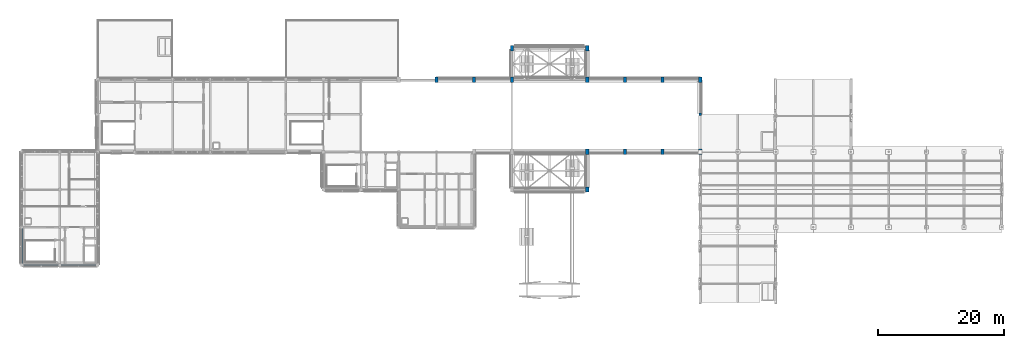
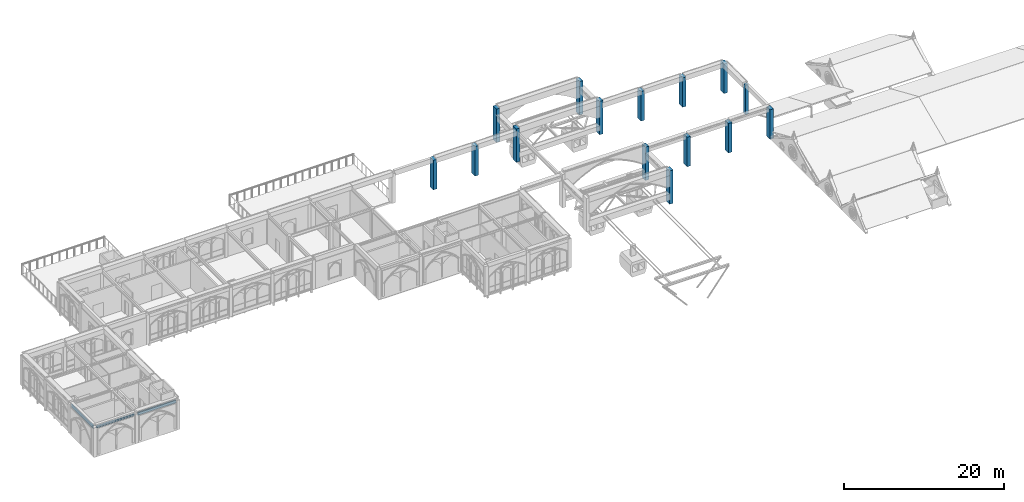
# One storey, part 5 of 59: 15 columns, 3 beams.
"""IFC4 building model written with IfcOpenShell, lengths in metres."""

from ifc_helpers import new_model, si_unit, direction, frame, origin, origin_2d, place, context, subcontext, project, spatial, rectangle, i_section, extrude, material, material_profile, profile_set, type_object, element, save


model = new_model("IFC4")

# Units and contexts
model_context = context("Model", 3, precision=1e-05, world=origin(), true_north=direction((0.0, 1.0)))
body_context = subcontext(model_context, "Body", "Model", "MODEL_VIEW")
ifc_project = project(units=[si_unit("LENGTHUNIT", "METRE"), si_unit("AREAUNIT", "SQUARE_METRE"), si_unit("VOLUMEUNIT", "CUBIC_METRE"), si_unit("PLANEANGLEUNIT", "RADIAN"), si_unit("MASSUNIT", "GRAM", prefix="KILO")], contexts=[model_context])

# Site, building, storey
site_placement = place(None, origin())
site = spatial("IfcSite", under=ifc_project, at=site_placement, CompositionType="ELEMENT")
building_placement = place(site_placement, origin())
building = spatial("IfcBuilding", under=site, at=building_placement, Name="Cumevento Cable Car Station", CompositionType="ELEMENT")
storey_placement = place(building_placement, frame((0.0, 0.0, 18.0)))
storey = spatial("IfcBuildingStorey", under=building, at=storey_placement, Name="L05", CompositionType="ELEMENT", Elevation=18.0)

# Columns
ifc_material_1 = material(Name="Concrete C40/50", Category="concrete")
ifc_material_profile_1 = material_profile(ifc_material_1, rectangle(XDim=0.5, YDim=0.85009765625, at=origin_2d()), Name="RC500x850")
ifc_profile_set_1 = profile_set([ifc_material_profile_1], Name="Concrete C40/50")
column_type_1 = type_object("IfcColumnType", Name="Buttress Pilaster P-BT850 RC500x850", PredefinedType="PILASTER", material=ifc_profile_set_1)
for number, where, z_axis, x_axis, name in (
    (1, (76.0, 56.5, 0.0), (0.0, 0.0, 1.0), (1.0, 0.0, 0.0), "Column P-BT850 L05 (76.0,56.5)"),
    (2, (82.0, 56.5, 0.0), (0.0, 0.0, 1.0), (1.0, 0.0, 0.0), "Column P-BT850 L05 (82.0,56.5)"),
):
    element("IfcColumn", number, at=place(storey_placement, frame(where, z_axis=z_axis, x_axis=x_axis)), inside=storey, type_object=column_type_1, Name=name, PredefinedType="PILASTER", context=body_context, shape_type="SweptSolid", body=[
        extrude(rectangle(XDim=0.5, YDim=0.85009765625, at=origin_2d()), origin(), (0.0, 0.0, 1.0), 4.5),
    ])
for number, where, z_axis, x_axis, name in (
    (3, (88.0, 56.5, 0.0), (0.0, 0.0, 1.0), (1.0, 0.0, 0.0), "Column P-BT850 L05 (88.0,56.5)"),
    (4, (100.0, 45.0, 0.0), (0.0, 0.0, 1.0), (1.0, 0.0, 0.0), "Column P-BT850 L05 (100.0,45.0)"),
    (5, (100.0, 56.5, 0.0), (0.0, 0.0, 1.0), (1.0, 0.0, 0.0), "Column P-BT850 L05 (100.0,56.5)"),
):
    element("IfcColumn", number, at=place(storey_placement, frame(where, z_axis=z_axis, x_axis=x_axis)), inside=storey, type_object=column_type_1, Name=name, PredefinedType="PILASTER", context=body_context, shape_type="SweptSolid", body=[
        extrude(rectangle(XDim=0.5, YDim=0.85009765625, at=origin_2d()), origin(), (0.0, 0.0, 1.0), 5.10009765625),
    ])
for number, where, z_axis, x_axis, name in (
    (6, (106.0, 45.0, 0.0), (0.0, 0.0, 1.0), (1.0, 0.0, 0.0), "Column P-BT850 L05 (106.0,45.0)"),
    (7, (106.0, 56.5, 0.0), (0.0, 0.0, 1.0), (1.0, 0.0, 0.0), "Column P-BT850 L05 (106.0,56.5)"),
    (8, (112.0, 45.0, 0.0), (0.0, 0.0, 1.0), (1.0, 0.0, 0.0), "Column P-BT850 L05 (112.0,45.0)"),
    (9, (112.0, 56.5, 0.0), (0.0, 0.0, 1.0), (1.0, 0.0, 0.0), "Column P-BT850 L05 (112.0,56.5)"),
    (10, (118.0, 45.0, 0.0), (0.0, 0.0, 1.0), (1.0, 0.0, 0.0), "Column P-BT850 L05 (118.0,45.0)"),
    (11, (118.0, 56.5, 0.0), (0.0, 0.0, 1.0), (1.0, 0.0, 0.0), "Column P-BT850 L05 (118.0,56.5)"),
):
    element("IfcColumn", number, at=place(storey_placement, frame(where, z_axis=z_axis, x_axis=x_axis)), inside=storey, type_object=column_type_1, Name=name, PredefinedType="PILASTER", context=body_context, shape_type="SweptSolid", body=[
        extrude(rectangle(XDim=0.5, YDim=0.85009765625, at=origin_2d()), origin(), (0.0, 0.0, 1.0), 4.5),
    ])
for number, where, z_axis, x_axis, name in (
    (12, (88.0, 61.5, 0.0), (0.0, 0.0, 1.0), (1.0, 0.0, 0.0), "Portal/Terrace Column P-BT850 L05 (88.0,61.5)"),
    (13, (100.0, 61.5, 0.0), (0.0, 0.0, 1.0), (1.0, 0.0, 0.0), "Portal/Terrace Column P-BT850 L05 (100.0,61.5)"),
    (14, (100.0, 39.0, 0.0), (0.0, 0.0, 1.0), (1.0, 0.0, 0.0), "Portal/Terrace Column P-BT850 L05 (100.0,39.0)"),
):
    element("IfcColumn", number, at=place(storey_placement, frame(where, z_axis=z_axis, x_axis=x_axis)), inside=storey, type_object=column_type_1, Name=name, PredefinedType="PILASTER", context=body_context, shape_type="SweptSolid", body=[
        extrude(rectangle(XDim=0.5, YDim=0.85009765625, at=origin_2d()), origin(), (0.0, 0.0, 1.0), 5.10009765625),
    ])
ifc_material_2 = material(Name="Concrete C40/50", Category="concrete")
ifc_material_profile_2 = material_profile(ifc_material_2, rectangle(XDim=0.449951171875, YDim=0.449951171875, at=origin_2d()), Name="RC450x450")
ifc_profile_set_2 = profile_set([ifc_material_profile_2], Name="Concrete C40/50")
column_type_2 = type_object("IfcColumnType", Name="Column C-RC450 RC450x450", PredefinedType="COLUMN", material=ifc_profile_set_2)
column_placement = place(storey_placement, frame((118.0, 51.0, 0.0), z_axis=(0.0, 0.0, 1.0), x_axis=(1.0, 0.0, 0.0)))
element("IfcColumn", 15, at=column_placement, inside=storey, type_object=column_type_2, Name="Column C-RC450 L05 (118.0,51.0)", PredefinedType="COLUMN", context=body_context, shape_type="SweptSolid", body=[
    extrude(rectangle(XDim=0.449951171875, YDim=0.449951171875, at=origin_2d()), origin(), (0.0, 0.0, 1.0), 4.5),
])

# Beams
ifc_material_3 = material(Name="Steel ASTM A572 Grade 50", Category="steel")
ifc_material_profile_3 = material_profile(ifc_material_3, i_section(OverallWidth=0.202880859375, OverallDepth=0.251953125, WebThickness=0.008056640625, FlangeThickness=0.013427734375, at=origin_2d()), Name="W250x58.0")
ifc_profile_set_3 = profile_set([ifc_material_profile_3], Name="Steel ASTM A572 Grade 50")
beam_type_1 = type_object("IfcBeamType", Name="Structural Beam BM-08 W250x58.0", PredefinedType="BEAM", material=ifc_profile_set_3)
beam_1_placement = place(storey_placement, frame((10.22509765625, 27.0, 4.3740234375), z_axis=(1.0, 0.0, 0.0), x_axis=(0.0, 1.0, 0.0)))
element("IfcBeam", 16, at=beam_1_placement, inside=storey, type_object=beam_type_1, Name="Beam BM-08 L05 #1573", PredefinedType="BEAM", context=body_context, shape_type="SweptSolid", body=[
    extrude(i_section(OverallWidth=0.202880859375, OverallDepth=0.251953125, WebThickness=0.008056640625, FlangeThickness=0.013427734375, at=origin_2d()), origin(), (0.0, 0.0, 1.0), 5.5498046875),
])
ifc_material_4 = material(Name="Steel ASTM A572 Grade 50", Category="steel")
ifc_material_profile_4 = material_profile(ifc_material_4, i_section(OverallWidth=0.179931640625, OverallDepth=0.4130859375, WebThickness=0.009765625, FlangeThickness=0.01611328125, at=origin_2d()), Name="W410x74.0")
ifc_profile_set_4 = profile_set([ifc_material_profile_4], Name="Steel ASTM A572 Grade 50")
beam_type_2 = type_object("IfcBeamType", Name="Structural Beam BM-09 W410x74.0", PredefinedType="BEAM", material=ifc_profile_set_4)
beam_2_placement = place(storey_placement, frame((16.22509765625, 27.0, 4.29345703125), z_axis=(1.0, 0.0, 0.0), x_axis=(0.0, 1.0, 0.0)))
element("IfcBeam", 17, at=beam_2_placement, inside=storey, type_object=beam_type_2, Name="Beam BM-09 L05 #1574", PredefinedType="BEAM", context=body_context, shape_type="SweptSolid", body=[
    extrude(i_section(OverallWidth=0.179931640625, OverallDepth=0.4130859375, WebThickness=0.009765625, FlangeThickness=0.01611328125, at=origin_2d()), origin(), (0.0, 0.0, 1.0), 5.5498046875),
])
ifc_material_5 = material(Name="Steel ASTM A572 Grade 50", Category="steel")
ifc_material_profile_5 = material_profile(ifc_material_5, i_section(OverallWidth=0.177978515625, OverallDepth=0.406982421875, WebThickness=0.0078125, FlangeThickness=0.0126953125, at=origin_2d()), Name="W410x60.0")
ifc_profile_set_5 = profile_set([ifc_material_profile_5], Name="Steel ASTM A572 Grade 50")
beam_type_3 = type_object("IfcBeamType", Name="Structural Spandrel SP-01 W410x60.0", PredefinedType="SPANDREL", material=ifc_profile_set_5)
beam_3_placement = place(storey_placement, frame((10.0, 27.22509765625, 4.29638671875), z_axis=(0.0, 1.0, 0.0), x_axis=(-1.0, 0.0, 0.0)))
element("IfcBeam", 18, at=beam_3_placement, inside=storey, type_object=beam_type_3, Name="Beam SP-01 L05 #1577", PredefinedType="SPANDREL", context=body_context, shape_type="SweptSolid", body=[
    extrude(i_section(OverallWidth=0.177978515625, OverallDepth=0.406982421875, WebThickness=0.0078125, FlangeThickness=0.0126953125, at=origin_2d()), origin(), (0.0, 0.0, 1.0), 5.5498046875),
])

save(model, "model.ifc")
